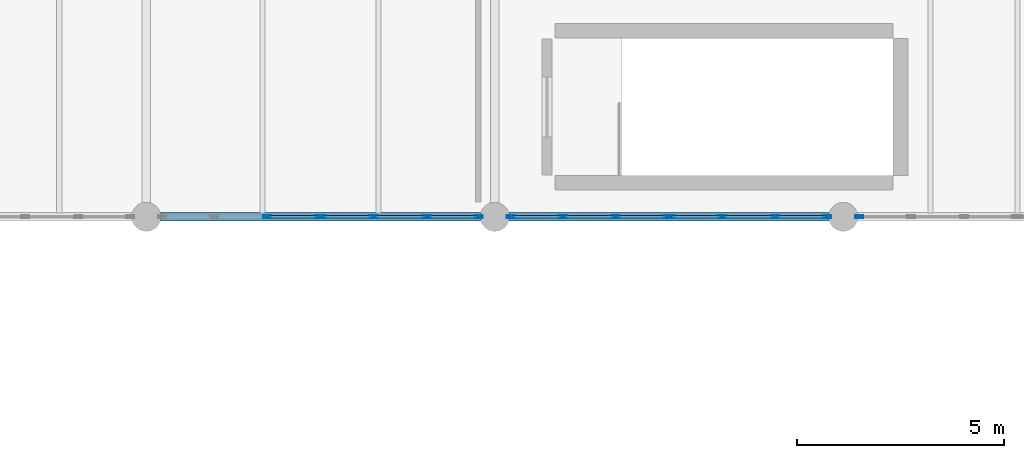
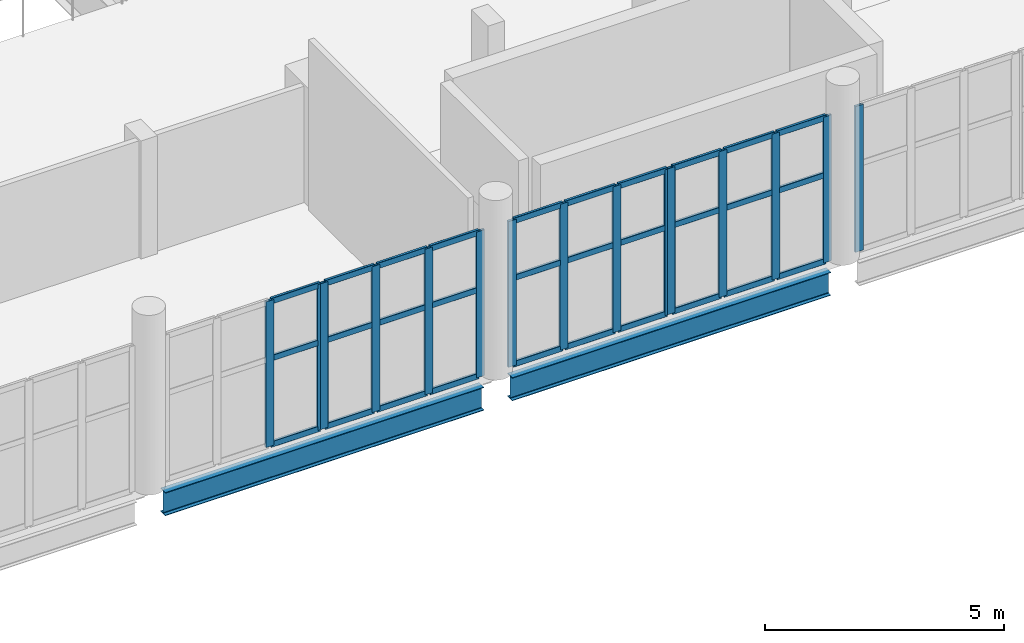
# One storey, part 36 of 74: 45 members, 2 beams, 5 elements without a shape of their own.
"""IFC4 building model written with IfcOpenShell, lengths in metres."""

from ifc_helpers import new_model, si_unit, direction, frame, origin, origin_2d, place, context, subcontext, project, spatial, hollow_rectangle, i_section, extrude, material, material_profile, profile_set, type_object, element, aggregate, save


model = new_model("IFC4")

# Units and contexts
model_context = context("Model", 3, precision=1e-05, world=origin(), true_north=direction((0.0, 1.0)))
body_context = subcontext(model_context, "Body", "Model", "MODEL_VIEW")
ifc_project = project(units=[si_unit("LENGTHUNIT", "METRE"), si_unit("AREAUNIT", "SQUARE_METRE"), si_unit("VOLUMEUNIT", "CUBIC_METRE"), si_unit("PLANEANGLEUNIT", "RADIAN"), si_unit("MASSUNIT", "GRAM", prefix="KILO")], contexts=[model_context])

# Site, building, storey
site_placement = place(None, origin())
site = spatial("IfcSite", under=ifc_project, at=site_placement, CompositionType="ELEMENT")
building_placement = place(site_placement, origin())
building = spatial("IfcBuilding", under=site, at=building_placement, Name="Shengluoqiao Park Theatre", CompositionType="ELEMENT")
storey_placement = place(building_placement, frame((0.0, 0.0, 14.60009765625)))
storey = spatial("IfcBuildingStorey", under=building, at=storey_placement, Name="L03", CompositionType="ELEMENT", Elevation=14.60009765625)

# Curtain wall, members
ifc_material_1 = material(Name="Aluminium 6063-T6", Category="aluminium")
curtain_wall_type = type_object("IfcCurtainWallType", Name="ENV-CW-PROM", PredefinedType="NOTDEFINED", material=ifc_material_1)
curtain_wall_1_placement = place(storey_placement, origin())
curtain_wall_1 = element("IfcCurtainWall", 1, at=curtain_wall_1_placement, inside=storey, type_object=curtain_wall_type, Name="L03 Curtain Wall CW-L03-0085", PredefinedType="NOTDEFINED")
ifc_material_profile_1 = material_profile(ifc_material_1, hollow_rectangle(XDim=0.06494140625, YDim=0.199951171875, WallThickness=0.0048828125, InnerFilletRadius=0.0048828125, OuterFilletRadius=0.010009765625, at=origin_2d()), Name="ALU MULLION 200x65x5")
ifc_profile_set_1 = profile_set([ifc_material_profile_1], Name="Aluminium 6063-T6")
member_type_1 = type_object("IfcMemberType", Name="ENV-MUL-200", PredefinedType="MULLION", material=ifc_profile_set_1)
member_1_placement = place(storey_placement, frame((64.117919921875, 68.39990234375, 0.0), z_axis=(0.0, 0.0, 1.0), x_axis=(0.0, 1.0, 0.0)))
member_1 = element("IfcMember", 2, at=member_1_placement, type_object=member_type_1, Name="CW-04 mullion 3", PredefinedType="MULLION", context=body_context, shape_type="SweptSolid", body=[
    extrude(hollow_rectangle(XDim=0.06494140625, YDim=0.199951171875, WallThickness=0.0048828125, InnerFilletRadius=0.0048828125, OuterFilletRadius=0.010009765625, at=origin_2d()), origin(), (0.0, 0.0, 1.0), 3.73193359375),
])
member_2_placement = place(storey_placement, frame((65.367431640625, 68.39990234375, 0.0), z_axis=(0.0, 0.0, 1.0), x_axis=(0.0, 1.0, 0.0)))
member_2 = element("IfcMember", 3, at=member_2_placement, type_object=member_type_1, Name="CW-04 mullion 4", PredefinedType="MULLION", context=body_context, shape_type="SweptSolid", body=[
    extrude(hollow_rectangle(XDim=0.06494140625, YDim=0.199951171875, WallThickness=0.0048828125, InnerFilletRadius=0.0048828125, OuterFilletRadius=0.010009765625, at=origin_2d()), origin(), (0.0, 0.0, 1.0), 3.73193359375),
])

curtain_wall_2_placement = place(storey_placement, origin())
curtain_wall_2 = element("IfcCurtainWall", 4, at=curtain_wall_2_placement, inside=storey, type_object=curtain_wall_type, Name="L03 Curtain Wall CW-L03-0086", PredefinedType="NOTDEFINED")
member_3_placement = place(storey_placement, frame((65.4326171875, 68.39990234375, 0.0), z_axis=(0.0, 0.0, 1.0), x_axis=(0.0, 1.0, 0.0)))
member_3 = element("IfcMember", 5, at=member_3_placement, type_object=member_type_1, Name="CW-04 mullion 1", PredefinedType="MULLION", context=body_context, shape_type="SweptSolid", body=[
    extrude(hollow_rectangle(XDim=0.06494140625, YDim=0.199951171875, WallThickness=0.0048828125, InnerFilletRadius=0.0048828125, OuterFilletRadius=0.010009765625, at=origin_2d()), origin(), (0.0, 0.0, 1.0), 3.73193359375),
])
member_4_placement = place(storey_placement, frame((66.681884765625, 68.39990234375, 0.0), z_axis=(0.0, 0.0, 1.0), x_axis=(0.0, 1.0, 0.0)))
member_4 = element("IfcMember", 6, at=member_4_placement, type_object=member_type_1, Name="CW-04 mullion 2", PredefinedType="MULLION", context=body_context, shape_type="SweptSolid", body=[
    extrude(hollow_rectangle(XDim=0.06494140625, YDim=0.199951171875, WallThickness=0.0048828125, InnerFilletRadius=0.0048828125, OuterFilletRadius=0.010009765625, at=origin_2d()), origin(), (0.0, 0.0, 1.0), 3.73193359375),
])
member_5_placement = place(storey_placement, frame((67.964111328125, 68.39990234375, 0.0), z_axis=(0.0, 0.0, 1.0), x_axis=(0.0, 1.0, 0.0)))
member_5 = element("IfcMember", 7, at=member_5_placement, type_object=member_type_1, Name="CW-04 mullion 3", PredefinedType="MULLION", context=body_context, shape_type="SweptSolid", body=[
    extrude(hollow_rectangle(XDim=0.06494140625, YDim=0.199951171875, WallThickness=0.0048828125, InnerFilletRadius=0.0048828125, OuterFilletRadius=0.010009765625, at=origin_2d()), origin(), (0.0, 0.0, 1.0), 3.73193359375),
])
member_6_placement = place(storey_placement, frame((69.21337890625, 68.39990234375, 0.0), z_axis=(0.0, 0.0, 1.0), x_axis=(0.0, 1.0, 0.0)))
member_6 = element("IfcMember", 8, at=member_6_placement, type_object=member_type_1, Name="CW-04 mullion 4", PredefinedType="MULLION", context=body_context, shape_type="SweptSolid", body=[
    extrude(hollow_rectangle(XDim=0.06494140625, YDim=0.199951171875, WallThickness=0.0048828125, InnerFilletRadius=0.0048828125, OuterFilletRadius=0.010009765625, at=origin_2d()), origin(), (0.0, 0.0, 1.0), 3.73193359375),
])

curtain_wall_3_placement = place(storey_placement, origin())
curtain_wall_3 = element("IfcCurtainWall", 9, at=curtain_wall_3_placement, inside=storey, type_object=curtain_wall_type, Name="L03 Curtain Wall CW-L03-0087", PredefinedType="NOTDEFINED")
member_7_placement = place(storey_placement, frame((69.986572265625, 68.39990234375, 0.0), z_axis=(0.0, 0.0, 1.0), x_axis=(0.0, 1.0, 0.0)))
member_7 = element("IfcMember", 10, at=member_7_placement, type_object=member_type_1, Name="CW-04 mullion 1", PredefinedType="MULLION", context=body_context, shape_type="SweptSolid", body=[
    extrude(hollow_rectangle(XDim=0.06494140625, YDim=0.199951171875, WallThickness=0.0048828125, InnerFilletRadius=0.0048828125, OuterFilletRadius=0.010009765625, at=origin_2d()), origin(), (0.0, 0.0, 1.0), 3.73193359375),
])
member_8_placement = place(storey_placement, frame((71.236083984375, 68.39990234375, 0.0), z_axis=(0.0, 0.0, 1.0), x_axis=(0.0, 1.0, 0.0)))
member_8 = element("IfcMember", 11, at=member_8_placement, type_object=member_type_1, Name="CW-04 mullion 2", PredefinedType="MULLION", context=body_context, shape_type="SweptSolid", body=[
    extrude(hollow_rectangle(XDim=0.06494140625, YDim=0.199951171875, WallThickness=0.0048828125, InnerFilletRadius=0.0048828125, OuterFilletRadius=0.010009765625, at=origin_2d()), origin(), (0.0, 0.0, 1.0), 3.73193359375),
])
member_9_placement = place(storey_placement, frame((72.51806640625, 68.39990234375, 0.0), z_axis=(0.0, 0.0, 1.0), x_axis=(0.0, 1.0, 0.0)))
member_9 = element("IfcMember", 12, at=member_9_placement, type_object=member_type_1, Name="CW-04 mullion 3", PredefinedType="MULLION", context=body_context, shape_type="SweptSolid", body=[
    extrude(hollow_rectangle(XDim=0.06494140625, YDim=0.199951171875, WallThickness=0.0048828125, InnerFilletRadius=0.0048828125, OuterFilletRadius=0.010009765625, at=origin_2d()), origin(), (0.0, 0.0, 1.0), 3.73193359375),
])
member_10_placement = place(storey_placement, frame((73.767578125, 68.39990234375, 0.0), z_axis=(0.0, 0.0, 1.0), x_axis=(0.0, 1.0, 0.0)))
member_10 = element("IfcMember", 13, at=member_10_placement, type_object=member_type_1, Name="CW-04 mullion 4", PredefinedType="MULLION", context=body_context, shape_type="SweptSolid", body=[
    extrude(hollow_rectangle(XDim=0.06494140625, YDim=0.199951171875, WallThickness=0.0048828125, InnerFilletRadius=0.0048828125, OuterFilletRadius=0.010009765625, at=origin_2d()), origin(), (0.0, 0.0, 1.0), 3.73193359375),
])

curtain_wall_4_placement = place(storey_placement, origin())
curtain_wall_4 = element("IfcCurtainWall", 14, at=curtain_wall_4_placement, inside=storey, type_object=curtain_wall_type, Name="L03 Curtain Wall CW-L03-0088", PredefinedType="NOTDEFINED")
member_11_placement = place(storey_placement, frame((73.83251953125, 68.39990234375, 0.0), z_axis=(0.0, 0.0, 1.0), x_axis=(0.0, 1.0, 0.0)))
member_11 = element("IfcMember", 15, at=member_11_placement, type_object=member_type_1, Name="CW-04 mullion 1", PredefinedType="MULLION", context=body_context, shape_type="SweptSolid", body=[
    extrude(hollow_rectangle(XDim=0.06494140625, YDim=0.199951171875, WallThickness=0.0048828125, InnerFilletRadius=0.0048828125, OuterFilletRadius=0.010009765625, at=origin_2d()), origin(), (0.0, 0.0, 1.0), 3.73193359375),
])
member_12_placement = place(storey_placement, frame((75.08203125, 68.39990234375, 0.0), z_axis=(0.0, 0.0, 1.0), x_axis=(0.0, 1.0, 0.0)))
member_12 = element("IfcMember", 16, at=member_12_placement, type_object=member_type_1, Name="CW-04 mullion 2", PredefinedType="MULLION", context=body_context, shape_type="SweptSolid", body=[
    extrude(hollow_rectangle(XDim=0.06494140625, YDim=0.199951171875, WallThickness=0.0048828125, InnerFilletRadius=0.0048828125, OuterFilletRadius=0.010009765625, at=origin_2d()), origin(), (0.0, 0.0, 1.0), 3.73193359375),
])
member_13_placement = place(storey_placement, frame((76.364013671875, 68.39990234375, 0.0), z_axis=(0.0, 0.0, 1.0), x_axis=(0.0, 1.0, 0.0)))
member_13 = element("IfcMember", 17, at=member_13_placement, type_object=member_type_1, Name="CW-04 mullion 3", PredefinedType="MULLION", context=body_context, shape_type="SweptSolid", body=[
    extrude(hollow_rectangle(XDim=0.06494140625, YDim=0.199951171875, WallThickness=0.0048828125, InnerFilletRadius=0.0048828125, OuterFilletRadius=0.010009765625, at=origin_2d()), origin(), (0.0, 0.0, 1.0), 3.73193359375),
])
member_14_placement = place(storey_placement, frame((77.613525390625, 68.39990234375, 0.0), z_axis=(0.0, 0.0, 1.0), x_axis=(0.0, 1.0, 0.0)))
member_14 = element("IfcMember", 18, at=member_14_placement, type_object=member_type_1, Name="CW-04 mullion 4", PredefinedType="MULLION", context=body_context, shape_type="SweptSolid", body=[
    extrude(hollow_rectangle(XDim=0.06494140625, YDim=0.199951171875, WallThickness=0.0048828125, InnerFilletRadius=0.0048828125, OuterFilletRadius=0.010009765625, at=origin_2d()), origin(), (0.0, 0.0, 1.0), 3.73193359375),
])

# Curtain wall, member
curtain_wall_5_placement = place(storey_placement, origin())
curtain_wall_5 = element("IfcCurtainWall", 19, at=curtain_wall_5_placement, inside=storey, type_object=curtain_wall_type, Name="L03 Curtain Wall CW-L03-0089", PredefinedType="NOTDEFINED")
member_15_placement = place(storey_placement, frame((78.386474609375, 68.39990234375, 0.0), z_axis=(0.0, 0.0, 1.0), x_axis=(0.0, 1.0, 0.0)))
member_15 = element("IfcMember", 20, at=member_15_placement, type_object=member_type_1, Name="CW-04 mullion 1", PredefinedType="MULLION", context=body_context, shape_type="SweptSolid", body=[
    extrude(hollow_rectangle(XDim=0.06494140625, YDim=0.199951171875, WallThickness=0.0048828125, InnerFilletRadius=0.0048828125, OuterFilletRadius=0.010009765625, at=origin_2d()), origin(), (0.0, 0.0, 1.0), 3.73193359375),
])
aggregate(curtain_wall_5, [member_15])

# Member
ifc_material_profile_2 = material_profile(ifc_material_1, hollow_rectangle(XDim=0.06494140625, YDim=0.14990234375, WallThickness=0.00390625, InnerFilletRadius=0.00390625, OuterFilletRadius=0.008056640625, at=origin_2d()), Name="ALU TRANSOM 150x65x4")
ifc_profile_set_2 = profile_set([ifc_material_profile_2], Name="Aluminium 6063-T6")
member_type_2 = type_object("IfcMemberType", Name="ENV-TRN-150", PredefinedType="USERDEFINED", material=ifc_profile_set_2)
member_16_placement = place(storey_placement, frame((64.150390625, 68.39990234375, 0.032470703125), z_axis=(1.0, 0.0, 0.0), x_axis=(0.0, 1.0, 0.0)))
member_16 = element("IfcMember", 21, at=member_16_placement, type_object=member_type_2, Name="CW-04 transom 3.1", ObjectType="TRANSOM", PredefinedType="USERDEFINED", context=body_context, shape_type="SweptSolid", body=[
    extrude(hollow_rectangle(XDim=0.06494140625, YDim=0.14990234375, WallThickness=0.00390625, InnerFilletRadius=0.00390625, OuterFilletRadius=0.008056640625, at=origin_2d()), origin(), (0.0, 0.0, 1.0), 1.1845703125),
])

member_17_placement = place(storey_placement, frame((64.150390625, 68.39990234375, 2.239013671875), z_axis=(1.0, 0.0, 0.0), x_axis=(0.0, 1.0, 0.0)))
member_17 = element("IfcMember", 22, at=member_17_placement, type_object=member_type_2, Name="CW-04 transom 3.2", ObjectType="TRANSOM", PredefinedType="USERDEFINED", context=body_context, shape_type="SweptSolid", body=[
    extrude(hollow_rectangle(XDim=0.06494140625, YDim=0.14990234375, WallThickness=0.00390625, InnerFilletRadius=0.00390625, OuterFilletRadius=0.008056640625, at=origin_2d()), origin(), (0.0, 0.0, 1.0), 1.1845703125),
])

member_18_placement = place(storey_placement, frame((64.150390625, 68.39990234375, 3.699462890625), z_axis=(1.0, 0.0, 0.0), x_axis=(0.0, 1.0, 0.0)))
member_18 = element("IfcMember", 23, at=member_18_placement, type_object=member_type_2, Name="CW-04 transom 3.3", ObjectType="TRANSOM", PredefinedType="USERDEFINED", context=body_context, shape_type="SweptSolid", body=[
    extrude(hollow_rectangle(XDim=0.06494140625, YDim=0.14990234375, WallThickness=0.00390625, InnerFilletRadius=0.00390625, OuterFilletRadius=0.008056640625, at=origin_2d()), origin(), (0.0, 0.0, 1.0), 1.1845703125),
])

aggregate(curtain_wall_1, [member_1, member_2, member_16, member_17, member_18])

member_19_placement = place(storey_placement, frame((65.465087890625, 68.39990234375, 0.032470703125), z_axis=(1.0, 0.0, 0.0), x_axis=(0.0, 1.0, 0.0)))
member_19 = element("IfcMember", 24, at=member_19_placement, type_object=member_type_2, Name="CW-04 transom 1.1", ObjectType="TRANSOM", PredefinedType="USERDEFINED", context=body_context, shape_type="SweptSolid", body=[
    extrude(hollow_rectangle(XDim=0.06494140625, YDim=0.14990234375, WallThickness=0.00390625, InnerFilletRadius=0.00390625, OuterFilletRadius=0.008056640625, at=origin_2d()), origin(), (0.0, 0.0, 1.0), 1.184326171875),
])

member_20_placement = place(storey_placement, frame((65.465087890625, 68.39990234375, 2.239013671875), z_axis=(1.0, 0.0, 0.0), x_axis=(0.0, 1.0, 0.0)))
member_20 = element("IfcMember", 25, at=member_20_placement, type_object=member_type_2, Name="CW-04 transom 1.2", ObjectType="TRANSOM", PredefinedType="USERDEFINED", context=body_context, shape_type="SweptSolid", body=[
    extrude(hollow_rectangle(XDim=0.06494140625, YDim=0.14990234375, WallThickness=0.00390625, InnerFilletRadius=0.00390625, OuterFilletRadius=0.008056640625, at=origin_2d()), origin(), (0.0, 0.0, 1.0), 1.184326171875),
])

member_21_placement = place(storey_placement, frame((65.465087890625, 68.39990234375, 3.699462890625), z_axis=(1.0, 0.0, 0.0), x_axis=(0.0, 1.0, 0.0)))
member_21 = element("IfcMember", 26, at=member_21_placement, type_object=member_type_2, Name="CW-04 transom 1.3", ObjectType="TRANSOM", PredefinedType="USERDEFINED", context=body_context, shape_type="SweptSolid", body=[
    extrude(hollow_rectangle(XDim=0.06494140625, YDim=0.14990234375, WallThickness=0.00390625, InnerFilletRadius=0.00390625, OuterFilletRadius=0.008056640625, at=origin_2d()), origin(), (0.0, 0.0, 1.0), 1.184326171875),
])

member_22_placement = place(storey_placement, frame((66.714599609375, 68.39990234375, 0.032470703125), z_axis=(1.0, 0.0, 0.0), x_axis=(0.0, 1.0, 0.0)))
member_22 = element("IfcMember", 27, at=member_22_placement, type_object=member_type_2, Name="CW-04 transom 2.1", ObjectType="TRANSOM", PredefinedType="USERDEFINED", context=body_context, shape_type="SweptSolid", body=[
    extrude(hollow_rectangle(XDim=0.06494140625, YDim=0.14990234375, WallThickness=0.00390625, InnerFilletRadius=0.00390625, OuterFilletRadius=0.008056640625, at=origin_2d()), origin(), (0.0, 0.0, 1.0), 1.216796875),
])

member_23_placement = place(storey_placement, frame((66.714599609375, 68.39990234375, 2.239013671875), z_axis=(1.0, 0.0, 0.0), x_axis=(0.0, 1.0, 0.0)))
member_23 = element("IfcMember", 28, at=member_23_placement, type_object=member_type_2, Name="CW-04 transom 2.2", ObjectType="TRANSOM", PredefinedType="USERDEFINED", context=body_context, shape_type="SweptSolid", body=[
    extrude(hollow_rectangle(XDim=0.06494140625, YDim=0.14990234375, WallThickness=0.00390625, InnerFilletRadius=0.00390625, OuterFilletRadius=0.008056640625, at=origin_2d()), origin(), (0.0, 0.0, 1.0), 1.216796875),
])

member_24_placement = place(storey_placement, frame((66.714599609375, 68.39990234375, 3.699462890625), z_axis=(1.0, 0.0, 0.0), x_axis=(0.0, 1.0, 0.0)))
member_24 = element("IfcMember", 29, at=member_24_placement, type_object=member_type_2, Name="CW-04 transom 2.3", ObjectType="TRANSOM", PredefinedType="USERDEFINED", context=body_context, shape_type="SweptSolid", body=[
    extrude(hollow_rectangle(XDim=0.06494140625, YDim=0.14990234375, WallThickness=0.00390625, InnerFilletRadius=0.00390625, OuterFilletRadius=0.008056640625, at=origin_2d()), origin(), (0.0, 0.0, 1.0), 1.216796875),
])

member_25_placement = place(storey_placement, frame((67.99658203125, 68.39990234375, 0.032470703125), z_axis=(1.0, 0.0, 0.0), x_axis=(0.0, 1.0, 0.0)))
member_25 = element("IfcMember", 30, at=member_25_placement, type_object=member_type_2, Name="CW-04 transom 3.1", ObjectType="TRANSOM", PredefinedType="USERDEFINED", context=body_context, shape_type="SweptSolid", body=[
    extrude(hollow_rectangle(XDim=0.06494140625, YDim=0.14990234375, WallThickness=0.00390625, InnerFilletRadius=0.00390625, OuterFilletRadius=0.008056640625, at=origin_2d()), origin(), (0.0, 0.0, 1.0), 1.184326171875),
])

member_26_placement = place(storey_placement, frame((67.99658203125, 68.39990234375, 2.239013671875), z_axis=(1.0, 0.0, 0.0), x_axis=(0.0, 1.0, 0.0)))
member_26 = element("IfcMember", 31, at=member_26_placement, type_object=member_type_2, Name="CW-04 transom 3.2", ObjectType="TRANSOM", PredefinedType="USERDEFINED", context=body_context, shape_type="SweptSolid", body=[
    extrude(hollow_rectangle(XDim=0.06494140625, YDim=0.14990234375, WallThickness=0.00390625, InnerFilletRadius=0.00390625, OuterFilletRadius=0.008056640625, at=origin_2d()), origin(), (0.0, 0.0, 1.0), 1.184326171875),
])

member_27_placement = place(storey_placement, frame((67.99658203125, 68.39990234375, 3.699462890625), z_axis=(1.0, 0.0, 0.0), x_axis=(0.0, 1.0, 0.0)))
member_27 = element("IfcMember", 32, at=member_27_placement, type_object=member_type_2, Name="CW-04 transom 3.3", ObjectType="TRANSOM", PredefinedType="USERDEFINED", context=body_context, shape_type="SweptSolid", body=[
    extrude(hollow_rectangle(XDim=0.06494140625, YDim=0.14990234375, WallThickness=0.00390625, InnerFilletRadius=0.00390625, OuterFilletRadius=0.008056640625, at=origin_2d()), origin(), (0.0, 0.0, 1.0), 1.184326171875),
])

aggregate(curtain_wall_2, [member_3, member_4, member_5, member_6, member_19, member_20, member_21, member_22, member_23, member_24, member_25, member_26, member_27])

member_28_placement = place(storey_placement, frame((70.01904296875, 68.39990234375, 0.032470703125), z_axis=(1.0, 0.0, 0.0), x_axis=(0.0, 1.0, 0.0)))
member_28 = element("IfcMember", 33, at=member_28_placement, type_object=member_type_2, Name="CW-04 transom 1.1", ObjectType="TRANSOM", PredefinedType="USERDEFINED", context=body_context, shape_type="SweptSolid", body=[
    extrude(hollow_rectangle(XDim=0.06494140625, YDim=0.14990234375, WallThickness=0.00390625, InnerFilletRadius=0.00390625, OuterFilletRadius=0.008056640625, at=origin_2d()), origin(), (0.0, 0.0, 1.0), 1.1845703125),
])

member_29_placement = place(storey_placement, frame((70.01904296875, 68.39990234375, 2.239013671875), z_axis=(1.0, 0.0, 0.0), x_axis=(0.0, 1.0, 0.0)))
member_29 = element("IfcMember", 34, at=member_29_placement, type_object=member_type_2, Name="CW-04 transom 1.2", ObjectType="TRANSOM", PredefinedType="USERDEFINED", context=body_context, shape_type="SweptSolid", body=[
    extrude(hollow_rectangle(XDim=0.06494140625, YDim=0.14990234375, WallThickness=0.00390625, InnerFilletRadius=0.00390625, OuterFilletRadius=0.008056640625, at=origin_2d()), origin(), (0.0, 0.0, 1.0), 1.1845703125),
])

member_30_placement = place(storey_placement, frame((70.01904296875, 68.39990234375, 3.699462890625), z_axis=(1.0, 0.0, 0.0), x_axis=(0.0, 1.0, 0.0)))
member_30 = element("IfcMember", 35, at=member_30_placement, type_object=member_type_2, Name="CW-04 transom 1.3", ObjectType="TRANSOM", PredefinedType="USERDEFINED", context=body_context, shape_type="SweptSolid", body=[
    extrude(hollow_rectangle(XDim=0.06494140625, YDim=0.14990234375, WallThickness=0.00390625, InnerFilletRadius=0.00390625, OuterFilletRadius=0.008056640625, at=origin_2d()), origin(), (0.0, 0.0, 1.0), 1.1845703125),
])

member_31_placement = place(storey_placement, frame((71.2685546875, 68.39990234375, 0.032470703125), z_axis=(1.0, 0.0, 0.0), x_axis=(0.0, 1.0, 0.0)))
member_31 = element("IfcMember", 36, at=member_31_placement, type_object=member_type_2, Name="CW-04 transom 2.1", ObjectType="TRANSOM", PredefinedType="USERDEFINED", context=body_context, shape_type="SweptSolid", body=[
    extrude(hollow_rectangle(XDim=0.06494140625, YDim=0.14990234375, WallThickness=0.00390625, InnerFilletRadius=0.00390625, OuterFilletRadius=0.008056640625, at=origin_2d()), origin(), (0.0, 0.0, 1.0), 1.217041015625),
])

member_32_placement = place(storey_placement, frame((71.2685546875, 68.39990234375, 2.239013671875), z_axis=(1.0, 0.0, 0.0), x_axis=(0.0, 1.0, 0.0)))
member_32 = element("IfcMember", 37, at=member_32_placement, type_object=member_type_2, Name="CW-04 transom 2.2", ObjectType="TRANSOM", PredefinedType="USERDEFINED", context=body_context, shape_type="SweptSolid", body=[
    extrude(hollow_rectangle(XDim=0.06494140625, YDim=0.14990234375, WallThickness=0.00390625, InnerFilletRadius=0.00390625, OuterFilletRadius=0.008056640625, at=origin_2d()), origin(), (0.0, 0.0, 1.0), 1.217041015625),
])

member_33_placement = place(storey_placement, frame((71.2685546875, 68.39990234375, 3.699462890625), z_axis=(1.0, 0.0, 0.0), x_axis=(0.0, 1.0, 0.0)))
member_33 = element("IfcMember", 38, at=member_33_placement, type_object=member_type_2, Name="CW-04 transom 2.3", ObjectType="TRANSOM", PredefinedType="USERDEFINED", context=body_context, shape_type="SweptSolid", body=[
    extrude(hollow_rectangle(XDim=0.06494140625, YDim=0.14990234375, WallThickness=0.00390625, InnerFilletRadius=0.00390625, OuterFilletRadius=0.008056640625, at=origin_2d()), origin(), (0.0, 0.0, 1.0), 1.217041015625),
])

member_34_placement = place(storey_placement, frame((72.550537109375, 68.39990234375, 0.032470703125), z_axis=(1.0, 0.0, 0.0), x_axis=(0.0, 1.0, 0.0)))
member_34 = element("IfcMember", 39, at=member_34_placement, type_object=member_type_2, Name="CW-04 transom 3.1", ObjectType="TRANSOM", PredefinedType="USERDEFINED", context=body_context, shape_type="SweptSolid", body=[
    extrude(hollow_rectangle(XDim=0.06494140625, YDim=0.14990234375, WallThickness=0.00390625, InnerFilletRadius=0.00390625, OuterFilletRadius=0.008056640625, at=origin_2d()), origin(), (0.0, 0.0, 1.0), 1.1845703125),
])

member_35_placement = place(storey_placement, frame((72.550537109375, 68.39990234375, 2.239013671875), z_axis=(1.0, 0.0, 0.0), x_axis=(0.0, 1.0, 0.0)))
member_35 = element("IfcMember", 40, at=member_35_placement, type_object=member_type_2, Name="CW-04 transom 3.2", ObjectType="TRANSOM", PredefinedType="USERDEFINED", context=body_context, shape_type="SweptSolid", body=[
    extrude(hollow_rectangle(XDim=0.06494140625, YDim=0.14990234375, WallThickness=0.00390625, InnerFilletRadius=0.00390625, OuterFilletRadius=0.008056640625, at=origin_2d()), origin(), (0.0, 0.0, 1.0), 1.1845703125),
])

member_36_placement = place(storey_placement, frame((72.550537109375, 68.39990234375, 3.699462890625), z_axis=(1.0, 0.0, 0.0), x_axis=(0.0, 1.0, 0.0)))
member_36 = element("IfcMember", 41, at=member_36_placement, type_object=member_type_2, Name="CW-04 transom 3.3", ObjectType="TRANSOM", PredefinedType="USERDEFINED", context=body_context, shape_type="SweptSolid", body=[
    extrude(hollow_rectangle(XDim=0.06494140625, YDim=0.14990234375, WallThickness=0.00390625, InnerFilletRadius=0.00390625, OuterFilletRadius=0.008056640625, at=origin_2d()), origin(), (0.0, 0.0, 1.0), 1.1845703125),
])

aggregate(curtain_wall_3, [member_7, member_8, member_9, member_10, member_28, member_29, member_30, member_31, member_32, member_33, member_34, member_35, member_36])

member_37_placement = place(storey_placement, frame((73.864990234375, 68.39990234375, 0.032470703125), z_axis=(1.0, 0.0, 0.0), x_axis=(0.0, 1.0, 0.0)))
member_37 = element("IfcMember", 42, at=member_37_placement, type_object=member_type_2, Name="CW-04 transom 1.1", ObjectType="TRANSOM", PredefinedType="USERDEFINED", context=body_context, shape_type="SweptSolid", body=[
    extrude(hollow_rectangle(XDim=0.06494140625, YDim=0.14990234375, WallThickness=0.00390625, InnerFilletRadius=0.00390625, OuterFilletRadius=0.008056640625, at=origin_2d()), origin(), (0.0, 0.0, 1.0), 1.1845703125),
])

member_38_placement = place(storey_placement, frame((73.864990234375, 68.39990234375, 2.239013671875), z_axis=(1.0, 0.0, 0.0), x_axis=(0.0, 1.0, 0.0)))
member_38 = element("IfcMember", 43, at=member_38_placement, type_object=member_type_2, Name="CW-04 transom 1.2", ObjectType="TRANSOM", PredefinedType="USERDEFINED", context=body_context, shape_type="SweptSolid", body=[
    extrude(hollow_rectangle(XDim=0.06494140625, YDim=0.14990234375, WallThickness=0.00390625, InnerFilletRadius=0.00390625, OuterFilletRadius=0.008056640625, at=origin_2d()), origin(), (0.0, 0.0, 1.0), 1.1845703125),
])

member_39_placement = place(storey_placement, frame((73.864990234375, 68.39990234375, 3.699462890625), z_axis=(1.0, 0.0, 0.0), x_axis=(0.0, 1.0, 0.0)))
member_39 = element("IfcMember", 44, at=member_39_placement, type_object=member_type_2, Name="CW-04 transom 1.3", ObjectType="TRANSOM", PredefinedType="USERDEFINED", context=body_context, shape_type="SweptSolid", body=[
    extrude(hollow_rectangle(XDim=0.06494140625, YDim=0.14990234375, WallThickness=0.00390625, InnerFilletRadius=0.00390625, OuterFilletRadius=0.008056640625, at=origin_2d()), origin(), (0.0, 0.0, 1.0), 1.1845703125),
])

member_40_placement = place(storey_placement, frame((75.114501953125, 68.39990234375, 0.032470703125), z_axis=(1.0, 0.0, 0.0), x_axis=(0.0, 1.0, 0.0)))
member_40 = element("IfcMember", 45, at=member_40_placement, type_object=member_type_2, Name="CW-04 transom 2.1", ObjectType="TRANSOM", PredefinedType="USERDEFINED", context=body_context, shape_type="SweptSolid", body=[
    extrude(hollow_rectangle(XDim=0.06494140625, YDim=0.14990234375, WallThickness=0.00390625, InnerFilletRadius=0.00390625, OuterFilletRadius=0.008056640625, at=origin_2d()), origin(), (0.0, 0.0, 1.0), 1.217041015625),
])

member_41_placement = place(storey_placement, frame((75.114501953125, 68.39990234375, 2.239013671875), z_axis=(1.0, 0.0, 0.0), x_axis=(0.0, 1.0, 0.0)))
member_41 = element("IfcMember", 46, at=member_41_placement, type_object=member_type_2, Name="CW-04 transom 2.2", ObjectType="TRANSOM", PredefinedType="USERDEFINED", context=body_context, shape_type="SweptSolid", body=[
    extrude(hollow_rectangle(XDim=0.06494140625, YDim=0.14990234375, WallThickness=0.00390625, InnerFilletRadius=0.00390625, OuterFilletRadius=0.008056640625, at=origin_2d()), origin(), (0.0, 0.0, 1.0), 1.217041015625),
])

member_42_placement = place(storey_placement, frame((75.114501953125, 68.39990234375, 3.699462890625), z_axis=(1.0, 0.0, 0.0), x_axis=(0.0, 1.0, 0.0)))
member_42 = element("IfcMember", 47, at=member_42_placement, type_object=member_type_2, Name="CW-04 transom 2.3", ObjectType="TRANSOM", PredefinedType="USERDEFINED", context=body_context, shape_type="SweptSolid", body=[
    extrude(hollow_rectangle(XDim=0.06494140625, YDim=0.14990234375, WallThickness=0.00390625, InnerFilletRadius=0.00390625, OuterFilletRadius=0.008056640625, at=origin_2d()), origin(), (0.0, 0.0, 1.0), 1.217041015625),
])

member_43_placement = place(storey_placement, frame((76.396484375, 68.39990234375, 0.032470703125), z_axis=(1.0, 0.0, 0.0), x_axis=(0.0, 1.0, 0.0)))
member_43 = element("IfcMember", 48, at=member_43_placement, type_object=member_type_2, Name="CW-04 transom 3.1", ObjectType="TRANSOM", PredefinedType="USERDEFINED", context=body_context, shape_type="SweptSolid", body=[
    extrude(hollow_rectangle(XDim=0.06494140625, YDim=0.14990234375, WallThickness=0.00390625, InnerFilletRadius=0.00390625, OuterFilletRadius=0.008056640625, at=origin_2d()), origin(), (0.0, 0.0, 1.0), 1.1845703125),
])

member_44_placement = place(storey_placement, frame((76.396484375, 68.39990234375, 2.239013671875), z_axis=(1.0, 0.0, 0.0), x_axis=(0.0, 1.0, 0.0)))
member_44 = element("IfcMember", 49, at=member_44_placement, type_object=member_type_2, Name="CW-04 transom 3.2", ObjectType="TRANSOM", PredefinedType="USERDEFINED", context=body_context, shape_type="SweptSolid", body=[
    extrude(hollow_rectangle(XDim=0.06494140625, YDim=0.14990234375, WallThickness=0.00390625, InnerFilletRadius=0.00390625, OuterFilletRadius=0.008056640625, at=origin_2d()), origin(), (0.0, 0.0, 1.0), 1.1845703125),
])

member_45_placement = place(storey_placement, frame((76.396484375, 68.39990234375, 3.699462890625), z_axis=(1.0, 0.0, 0.0), x_axis=(0.0, 1.0, 0.0)))
member_45 = element("IfcMember", 50, at=member_45_placement, type_object=member_type_2, Name="CW-04 transom 3.3", ObjectType="TRANSOM", PredefinedType="USERDEFINED", context=body_context, shape_type="SweptSolid", body=[
    extrude(hollow_rectangle(XDim=0.06494140625, YDim=0.14990234375, WallThickness=0.00390625, InnerFilletRadius=0.00390625, OuterFilletRadius=0.008056640625, at=origin_2d()), origin(), (0.0, 0.0, 1.0), 1.1845703125),
])

aggregate(curtain_wall_4, [member_11, member_12, member_13, member_14, member_37, member_38, member_39, member_40, member_41, member_42, member_43, member_44, member_45])

# Beams
ifc_material_2 = material(Name="Steel Q355", Category="steel")
ifc_material_profile_3 = material_profile(ifc_material_2, i_section(OverallWidth=0.198974609375, OverallDepth=0.595947265625, WebThickness=0.010009765625, FlangeThickness=0.014892578125, FilletRadius=0.02001953125, at=origin_2d()), Name="HN 596x199x10x15")
ifc_profile_set_3 = profile_set([ifc_material_profile_3], Name="Steel Q355")
beam_type = type_object("IfcBeamType", Name="STR-BM-SP-HN596", PredefinedType="SPANDREL", material=ifc_profile_set_3)
beam_1_placement = place(storey_placement, frame((61.5439453125, 68.39990234375, -0.5380859375), z_axis=(1.0, 0.0, 0.0), x_axis=(0.0, 1.0, 0.0)))
element("IfcBeam", 51, at=beam_1_placement, inside=storey, type_object=beam_type, Name="L03 Primary Girder 01355", PredefinedType="SPANDREL", context=body_context, shape_type="SweptSolid", body=[
    extrude(i_section(OverallWidth=0.198974609375, OverallDepth=0.595947265625, WebThickness=0.010009765625, FlangeThickness=0.014892578125, FilletRadius=0.02001953125, at=origin_2d()), origin(), (0.0, 0.0, 1.0), 7.712158203125),
])
beam_2_placement = place(storey_placement, frame((69.944091796875, 68.39990234375, -0.5380859375), z_axis=(1.0, 0.0, 0.0), x_axis=(0.0, 1.0, 0.0)))
element("IfcBeam", 52, at=beam_2_placement, inside=storey, type_object=beam_type, Name="L03 Primary Girder 01356", PredefinedType="SPANDREL", context=body_context, shape_type="SweptSolid", body=[
    extrude(i_section(OverallWidth=0.198974609375, OverallDepth=0.595947265625, WebThickness=0.010009765625, FlangeThickness=0.014892578125, FilletRadius=0.02001953125, at=origin_2d()), origin(), (0.0, 0.0, 1.0), 7.7119140625),
])

save(model, "model.ifc")
